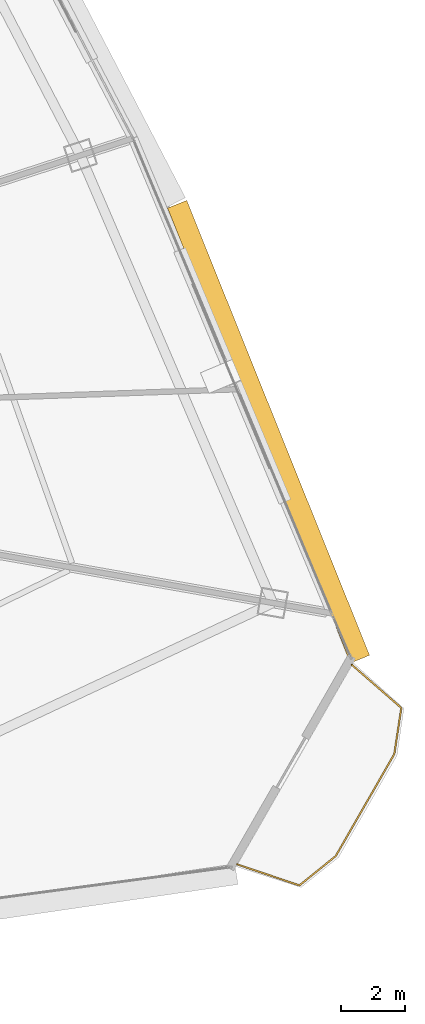
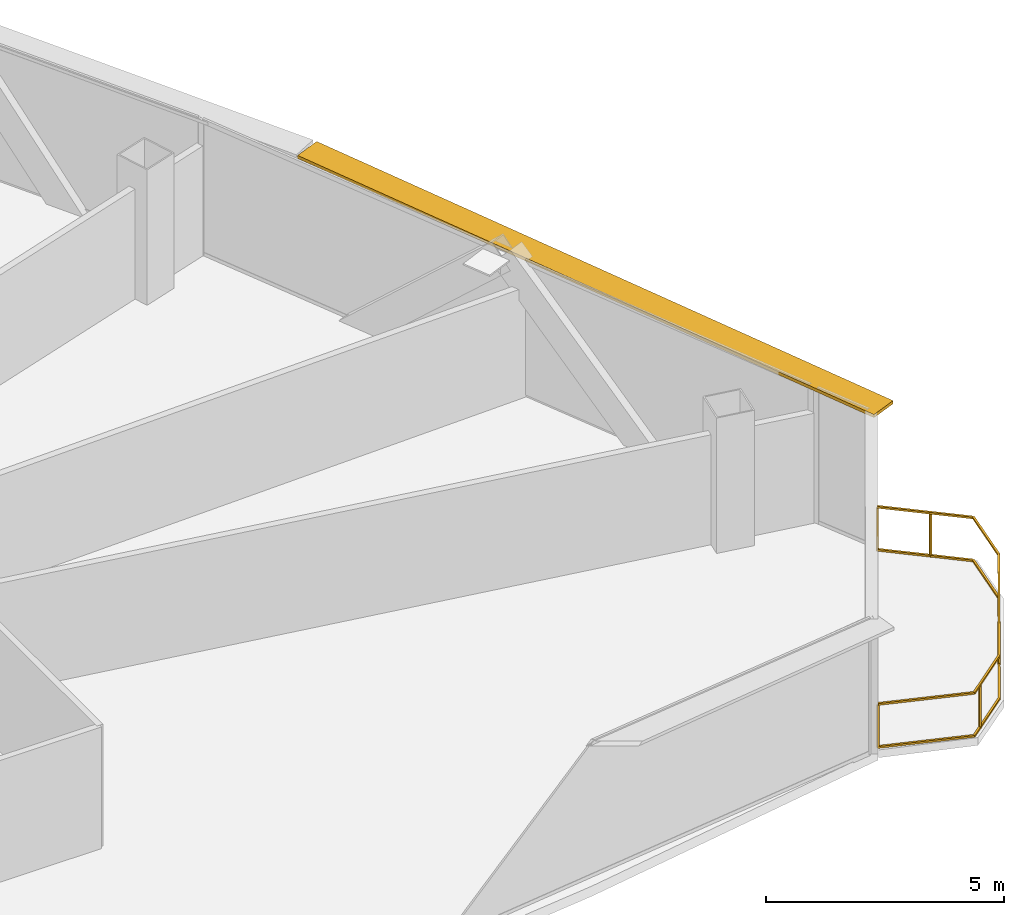
# One storey, part 37 of 37: 1 railing, 1 shading device.
"""IFC4 building model written with IfcOpenShell, lengths in metres."""

from ifc_helpers import new_model, si_unit, direction, frame, origin, origin_2d, place, context, subcontext, project, spatial, rectangle, extrude, source, transform, mapped, material, layer, layer_set, type_object, element, save


model = new_model("IFC4")

# Units and contexts
model_context = context("Model", 3, precision=1e-05, world=origin(), true_north=direction((0.0, 1.0)))
body_context = subcontext(model_context, "Body", "Model", "MODEL_VIEW")
ifc_project = project(units=[si_unit("LENGTHUNIT", "METRE"), si_unit("AREAUNIT", "SQUARE_METRE"), si_unit("VOLUMEUNIT", "CUBIC_METRE"), si_unit("PLANEANGLEUNIT", "RADIAN"), si_unit("MASSUNIT", "GRAM", prefix="KILO"), si_unit("THERMODYNAMICTEMPERATUREUNIT", "KELVIN"), si_unit("POWERUNIT", "WATT")], contexts=[model_context])

# Site, building, storey
site_placement = place(None, origin())
site = spatial("IfcSite", under=ifc_project, at=site_placement, CompositionType="ELEMENT")
building_placement = place(site_placement, origin())
building = spatial("IfcBuilding", under=site, at=building_placement, Name="Yunzhuo Pagoda Commons", CompositionType="ELEMENT")
storey_placement = place(building_placement, frame((0.0, 0.0, 259.449951171875)))
storey = spatial("IfcBuildingStorey", under=building, at=storey_placement, Name="L65", CompositionType="ELEMENT", Elevation=259.449951171875)

# Railing
ifc_material = material(Name="Anodized aluminium 6063-T6", Category="aluminium")
railing_type = type_object("IfcRailingType", Name="RL-BAL1 Exterior Terrace & Balcony Balustrade 1150", PredefinedType="BALUSTRADE", material=ifc_material)
railing_placement = place(storey_placement, frame((78.8203125, 19.86328125, 0.0)))
element("IfcRailing", 1, at=railing_placement, inside=storey, type_object=railing_type, Name="L65 corner balcony balustrade V2", PredefinedType="BALUSTRADE", context=body_context, shape_type="SweptSolid", body=[
    extrude(rectangle(XDim=0.048095703125, YDim=0.048095703125, at=origin_2d()), frame((0.0, 0.0, 1.1259765625), z_axis=(0.947419062147, -0.319995501031, 0.0), x_axis=(0.319995501031, 0.947419062147, 0.0)), (0.0, 0.0, 1.0), 2.05908203125),
    extrude(rectangle(XDim=0.048095703125, YDim=0.048095703125, at=origin_2d()), frame((0.0, 0.0, 0.02392578125), z_axis=(0.947419062147, -0.319995501031, 0.0), x_axis=(0.319995501031, 0.947419062147, 0.0)), (0.0, 0.0, 1.0), 2.05908203125),
    extrude(rectangle(XDim=0.048095703125, YDim=0.048095703125, at=origin_2d()), frame((1.950927734375, -0.658935546875, 1.1259765625), z_axis=(0.777884784349, 0.628406924117, 0.0), x_axis=(-0.628406924117, 0.777884784349, 0.0)), (0.0, 0.0, 1.0), 1.465087890625),
    extrude(rectangle(XDim=0.048095703125, YDim=0.048095703125, at=origin_2d()), frame((1.950927734375, -0.658935546875, 0.02392578125), z_axis=(0.777884784349, 0.628406924117, 0.0), x_axis=(-0.628406924117, 0.777884784349, 0.0)), (0.0, 0.0, 1.0), 1.465087890625),
    extrude(rectangle(XDim=0.048095703125, YDim=0.048095703125, at=origin_2d()), frame((3.090576171875, 0.26171875, 1.1259765625), z_axis=(0.497975284399, 0.867191222354, 0.0), x_axis=(-0.867191222354, 0.497975284399, 0.0)), (0.0, 0.0, 1.0), 3.691650390625),
    extrude(rectangle(XDim=0.048095703125, YDim=0.048095703125, at=origin_2d()), frame((3.090576171875, 0.26171875, 0.02392578125), z_axis=(0.497975284399, 0.867191222354, 0.0), x_axis=(-0.867191222354, 0.497975284399, 0.0)), (0.0, 0.0, 1.0), 3.691650390625),
    extrude(rectangle(XDim=0.048095703125, YDim=0.048095703125, at=origin_2d()), frame((4.928955078125, 3.463134765625, 1.1259765625), z_axis=(0.150466779766, 0.988615065729, 0.0), x_axis=(-0.988615065729, 0.150466779766, 0.0)), (0.0, 0.0, 1.0), 1.465087890625),
    extrude(rectangle(XDim=0.048095703125, YDim=0.048095703125, at=origin_2d()), frame((4.928955078125, 3.463134765625, 0.02392578125), z_axis=(0.150466779766, 0.988615065729, 0.0), x_axis=(-0.988615065729, 0.150466779766, 0.0)), (0.0, 0.0, 1.0), 1.465087890625),
    extrude(rectangle(XDim=0.048095703125, YDim=0.048095703125, at=origin_2d()), frame((5.1494140625, 4.91162109375, 1.1259765625), z_axis=(-0.753984993137, 0.656891642605, 0.0), x_axis=(-0.656891642605, -0.753984993137, 0.0)), (0.0, 0.0, 1.0), 2.059326171875),
    extrude(rectangle(XDim=0.048095703125, YDim=0.048095703125, at=origin_2d()), frame((5.1494140625, 4.91162109375, 0.02392578125), z_axis=(-0.753984993137, 0.656891642605, 0.0), x_axis=(-0.656891642605, -0.753984993137, 0.0)), (0.0, 0.0, 1.0), 2.059326171875),
    extrude(rectangle(XDim=0.0419921875, YDim=0.0419921875, at=origin_2d()), origin(), (0.0, 0.0, 1.0), 1.101806640625),
    extrude(rectangle(XDim=0.0419921875, YDim=0.0419921875, at=origin_2d()), frame((2.216064453125, -0.44482421875, 0.0)), (0.0, 0.0, 1.0), 1.101806640625),
    extrude(rectangle(XDim=0.0419921875, YDim=0.0419921875, at=origin_2d()), frame((3.725830078125, 1.367919921875, 0.0)), (0.0, 0.0, 1.0), 1.101806640625),
    extrude(rectangle(XDim=0.0419921875, YDim=0.0419921875, at=origin_2d()), frame((4.45654296875, 5.51513671875, 0.0)), (0.0, 0.0, 1.0), 1.101806640625),
    extrude(rectangle(XDim=0.0419921875, YDim=0.0419921875, at=origin_2d()), frame((3.5966796875, 6.264404296875, 0.0)), (0.0, 0.0, 1.0), 1.101806640625),
])

# Shading device
ifc_layer = layer(ifc_material, 0.080078125)
ifc_layer_set = layer_set([ifc_layer], Name="Anodized aluminium 6063-T6")
shading_device_type = type_object("IfcShadingDeviceType", Name="SH-SUN1 Pagoda Horizontal Sunshade Eave 650", PredefinedType="USERDEFINED", material=ifc_layer_set)
shared_shape = source(origin(), body_context, "Body", "SweptSolid", [
    extrude(rectangle(XDim=15.388671875, YDim=0.64990234375, at=origin_2d()), origin(), (0.0, 0.0, 1.0), 0.080078125),
])
shading_device_placement = place(storey_placement, frame((79.80224609375, 33.444091796875, 3.389892578125), z_axis=(0.0, 0.0, 1.0), x_axis=(-0.372987782576, 0.927836253899, 0.0)))
element("IfcShadingDevice", 2, at=shading_device_placement, inside=storey, type_object=shading_device_type, Name="L65 horizontal pagoda sunshade eave F2.1", ObjectType="SUNSHADE", PredefinedType="USERDEFINED", context=body_context, shape_type="MappedRepresentation", body=[
    mapped(shared_shape, transform((0.0, 0.0, 0.0), scale=1.0)),
])

save(model, "model.ifc")
